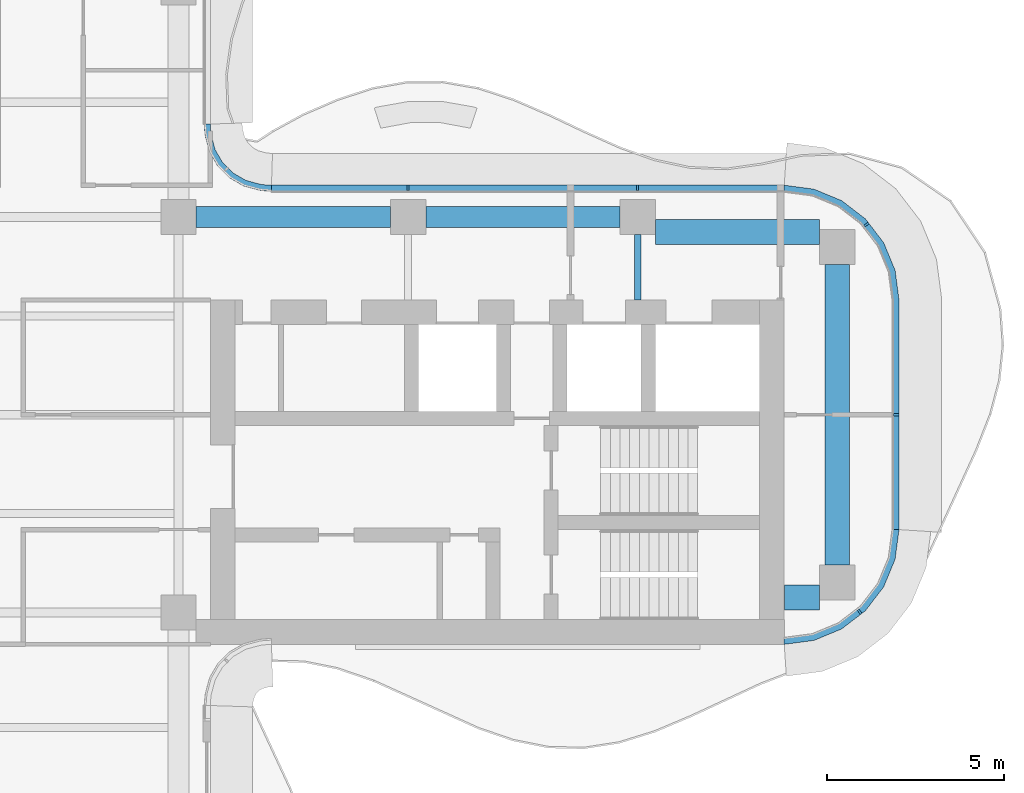
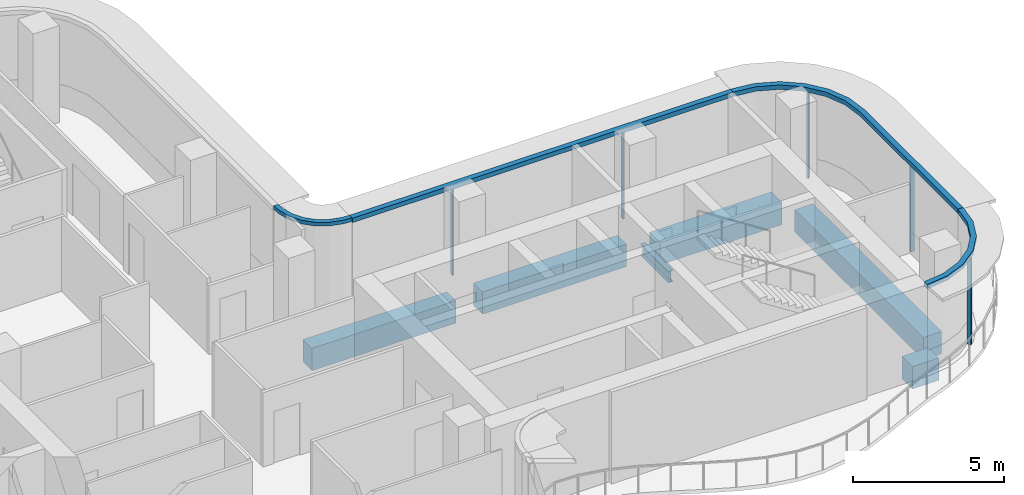
# One storey, part 6 of 17: 9 members, 6 beams, 4 elements without a shape of their own.
"""IFC4 building model written with IfcOpenShell, lengths in metres."""

from ifc_helpers import new_model, si_unit, direction, frame, origin, origin_2d, place, context, subcontext, project, spatial, polyline, rectangle, i_section, outline, extrude, source, transform, mapped, material, layer, layer_set, material_profile, profile_set, type_object, element, aggregate, save


model = new_model("IFC4")

# Units and contexts
model_context = context("Model", 3, precision=1e-05, world=origin(), true_north=direction((0.0, 1.0)))
body_context = subcontext(model_context, "Body", "Model", "MODEL_VIEW")
ifc_project = project(units=[si_unit("LENGTHUNIT", "METRE"), si_unit("AREAUNIT", "SQUARE_METRE"), si_unit("VOLUMEUNIT", "CUBIC_METRE"), si_unit("PLANEANGLEUNIT", "RADIAN"), si_unit("MASSUNIT", "GRAM", prefix="KILO")], contexts=[model_context])

# Site, building, storey
site_placement = place(None, origin())
site = spatial("IfcSite", under=ifc_project, at=site_placement, CompositionType="ELEMENT")
building_placement = place(site_placement, origin())
building = spatial("IfcBuilding", under=site, at=building_placement, Name="Trellis Farm Tower", CompositionType="ELEMENT")
storey_placement = place(building_placement, frame((0.0, 0.0, 283.300048828125)))
storey = spatial("IfcBuildingStorey", under=building, at=storey_placement, Name="L63", CompositionType="ELEMENT", Elevation=283.300048828125)

# Beams
ifc_material_1 = material(Name="Steel S355", Category="steel")
ifc_material_profile_1 = material_profile(ifc_material_1, i_section(OverallWidth=0.1904296875, OverallDepth=0.45703125, WebThickness=0.009033203125, FlangeThickness=0.014404296875, FilletRadius=0.01025390625, at=origin_2d()), Name="UB 457x191x74")
ifc_profile_set_1 = profile_set([ifc_material_profile_1], Name="Steel S355")
beam_type_1 = type_object("IfcBeamType", Name="UB 457x191x74", PredefinedType="BEAM", material=ifc_profile_set_1)
shared_shape_1 = source(origin(), body_context, "Body", "SweptSolid", [
    extrude(i_section(OverallWidth=0.1904296875, OverallDepth=0.45703125, WebThickness=0.009033203125, FlangeThickness=0.014404296875, FilletRadius=0.01025390625, at=origin_2d()), origin(), (0.0, 0.0, 1.0), 1.85009765625),
])
beam_1_placement = place(storey_placement, frame((18.60009765625, 3.25, -0.428466796875), z_axis=(0.0, 1.0, 0.0), x_axis=(-1.0, 0.0, 0.0)))
element("IfcBeam", 1, at=beam_1_placement, inside=storey, type_object=beam_type_1, Name="Girder", PredefinedType="BEAM", context=body_context, shape_type="MappedRepresentation", body=[
    mapped(shared_shape_1, transform((0.0, 0.0, 0.0))),
])
ifc_material_2 = material(Name="Concrete C60/75", Category="concrete")
ifc_material_profile_2 = material_profile(ifc_material_2, rectangle(XDim=0.60009765625, YDim=0.89990234375, at=origin_2d()), Name="RC spandrel beam 600x900 C60/75")
ifc_profile_set_2 = profile_set([ifc_material_profile_2], Name="Concrete C60/75")
beam_type_2 = type_object("IfcBeamType", Name="RC spandrel beam 600x900 C60/75", PredefinedType="SPANDREL", material=ifc_profile_set_2)
shared_shape_2 = source(origin(), body_context, "Body", "SweptSolid", [
    extrude(rectangle(XDim=0.60009765625, YDim=0.89990234375, at=origin_2d()), origin(), (0.0, 0.0, 1.0), 5.5),
])
for number, where, z_axis, x_axis, name in (
    (2, (6.10009765625, 5.60009765625, -0.650146484375), (1.0, 0.0, 0.0), (0.0, 1.0, 0.0), "Girder"),
    (3, (12.60009765625, 5.60009765625, -0.650146484375), (1.0, 0.0, 0.0), (0.0, 1.0, 0.0), "Girder"),
):
    element("IfcBeam", number, at=place(storey_placement, frame(where, z_axis=z_axis, x_axis=x_axis)), inside=storey, type_object=beam_type_2, Name=name, PredefinedType="SPANDREL", context=body_context, shape_type="MappedRepresentation", body=[
        mapped(shared_shape_2, transform((0.0, 0.0, 0.0))),
    ])
ifc_material_profile_3 = material_profile(ifc_material_2, rectangle(XDim=0.699951171875, YDim=0.89990234375, at=origin_2d()), Name="RC spandrel beam 700x900 C60/75")
ifc_profile_set_3 = profile_set([ifc_material_profile_3], Name="Concrete C60/75")
beam_type_3 = type_object("IfcBeamType", Name="RC spandrel beam 700x900 C60/75", PredefinedType="SPANDREL", material=ifc_profile_set_3)
shared_shape_3 = source(origin(), body_context, "Body", "SweptSolid", [
    extrude(rectangle(XDim=0.699951171875, YDim=0.89990234375, at=origin_2d()), origin(), (0.0, 0.0, 1.0), 1.0),
])
beam_2_placement = place(storey_placement, frame((22.75, -5.175048828125, -0.650146484375), z_axis=(1.0, 0.0, 0.0), x_axis=(0.0, 1.0, 0.0)))
element("IfcBeam", 4, at=beam_2_placement, inside=storey, type_object=beam_type_3, Name="Girder", PredefinedType="SPANDREL", context=body_context, shape_type="MappedRepresentation", body=[
    mapped(shared_shape_3, transform((0.0, 0.0, 0.0))),
])
shared_shape_4 = source(origin(), body_context, "Body", "SweptSolid", [
    extrude(rectangle(XDim=0.699951171875, YDim=0.89990234375, at=origin_2d()), origin(), (0.0, 0.0, 1.0), 4.64990234375),
])
beam_3_placement = place(storey_placement, frame((19.10009765625, 5.175048828125, -0.650146484375), z_axis=(1.0, 0.0, 0.0), x_axis=(0.0, 1.0, 0.0)))
element("IfcBeam", 5, at=beam_3_placement, inside=storey, type_object=beam_type_3, Name="Girder", PredefinedType="SPANDREL", context=body_context, shape_type="MappedRepresentation", body=[
    mapped(shared_shape_4, transform((0.0, 0.0, 0.0))),
])
shared_shape_5 = source(origin(), body_context, "Body", "SweptSolid", [
    extrude(rectangle(XDim=0.699951171875, YDim=0.89990234375, at=origin_2d()), origin(), (0.0, 0.0, 1.0), 8.5),
])
beam_4_placement = place(storey_placement, frame((24.25, -4.25, -0.650146484375), z_axis=(0.0, 1.0, 0.0), x_axis=(-1.0, 0.0, 0.0)))
element("IfcBeam", 6, at=beam_4_placement, inside=storey, type_object=beam_type_3, Name="Girder", PredefinedType="SPANDREL", context=body_context, shape_type="MappedRepresentation", body=[
    mapped(shared_shape_5, transform((0.0, 0.0, 0.0))),
])

# Curtain wall, member
ifc_material_3 = material(Name="Aluminium and glass curtain wall", Category="aluminium")
ifc_layer_1 = layer(ifc_material_3, 0.166015625)
ifc_layer_set_1 = layer_set([ifc_layer_1], Name="WINTER GARDEN CURTAIN WALL CW3")
curtain_wall_type_1 = type_object("IfcCurtainWallType", Name="WINTER GARDEN CURTAIN WALL CW3", PredefinedType="NOTDEFINED", material=ifc_layer_set_1)
placement_1 = place(storey_placement, origin())
curtain_wall_1 = element("IfcCurtainWall", 7, at=placement_1, inside=storey, type_object=curtain_wall_type_1, Name="CW3 003", PredefinedType="NOTDEFINED")
ifc_material_4 = material(Name="Aluminium extrusion 6063-T6", Category="aluminium")
ifc_layer_2 = layer(ifc_material_4, 0.169921875)
ifc_layer_set_2 = layer_set([ifc_layer_2], Name="Aluminium extrusion 6063-T6")
member_type_1 = type_object("IfcMemberType", Name="CW3 TRANSOM 170x150", PredefinedType="USERDEFINED", material=ifc_layer_set_2)
shared_shape_6 = source(origin(), body_context, "Body", "SweptSolid", [
    extrude(outline(polyline([(8.2314453125, 6.5), (8.01953125, 6.513916015625), (7.91552734375, 6.527587890625), (7.508544921875, 6.63671875), (7.144287109375, 6.846923828125), (6.846923828125, 7.144287109375), (6.63671875, 7.508544921875), (6.527587890625, 7.91552734375), (6.513916015625, 8.01953125), (6.5, 8.2314453125), (6.330078125, 8.225830078125), (6.3447265625, 8.0029296875), (6.360595703125, 7.88232421875), (6.478271484375, 7.44287109375), (6.7109375, 7.0400390625), (7.0400390625, 6.7109375), (7.44287109375, 6.478271484375), (7.88232421875, 6.360595703125), (8.0029296875, 6.3447265625), (8.225830078125, 6.330078125), (8.2314453125, 6.5)])), origin(), (0.0, 0.0, 1.0), 0.14990234375),
])
member_1_placement = place(storey_placement, frame((0.0, 0.0, 3.550048828125)))
member_1 = element("IfcMember", 8, at=member_1_placement, type_object=member_type_1, Name="TR3 003", ObjectType="TRANSOM", PredefinedType="USERDEFINED", context=body_context, shape_type="MappedRepresentation", body=[
    mapped(shared_shape_6, transform((0.0, 0.0, 0.0))),
])
aggregate(curtain_wall_1, [member_1])

ifc_layer_3 = layer(ifc_material_3, 0.18994140625)
ifc_layer_set_3 = layer_set([ifc_layer_3], Name="RIBBON CURTAIN WALL CW1")
curtain_wall_type_2 = type_object("IfcCurtainWallType", Name="RIBBON CURTAIN WALL CW1", PredefinedType="NOTDEFINED", material=ifc_layer_set_3)
curtain_wall_2 = element("IfcCurtainWall", 9, at=placement_1, inside=storey, type_object=curtain_wall_type_2, Name="CW1 006", PredefinedType="NOTDEFINED")
ifc_material_profile_4 = material_profile(ifc_material_4, rectangle(XDim=0.06005859375, YDim=0.14990234375, at=origin_2d()), Name="MULLION 60x150")
ifc_profile_set_4 = profile_set([ifc_material_profile_4], Name="Aluminium extrusion 6063-T6")
member_type_2 = type_object("IfcMemberType", Name="CW1 MULLION 60x150", PredefinedType="MULLION", material=ifc_profile_set_4)
shared_shape_7 = source(origin(), body_context, "Body", "SweptSolid", [
    extrude(rectangle(XDim=0.06005859375, YDim=0.14990234375, at=origin_2d()), origin(), (0.0, 0.0, 1.0), 3.52001953125),
])
member_2_placement = place(storey_placement, frame((24.885498046875, -5.578369140625, 0.0), z_axis=(0.0, 0.0, 1.0), x_axis=(0.793353340291, 0.608761429009, 0.0)))
member_2 = element("IfcMember", 10, at=member_2_placement, type_object=member_type_2, Name="MU1 006-01", PredefinedType="MULLION", context=body_context, shape_type="MappedRepresentation", body=[
    mapped(shared_shape_7, transform((0.0, 0.0, 0.0))),
])

# Curtain wall, members
curtain_wall_3 = element("IfcCurtainWall", 11, at=placement_1, inside=storey, type_object=curtain_wall_type_2, Name="CW1 007", PredefinedType="NOTDEFINED")
member_3_placement = place(storey_placement, frame((25.925048828125, 0.0, 0.0), z_axis=(0.0, 0.0, 1.0), x_axis=(0.0, 1.0, 0.0)))
member_3 = element("IfcMember", 12, at=member_3_placement, type_object=member_type_2, Name="MU1 007-01", PredefinedType="MULLION", context=body_context, shape_type="MappedRepresentation", body=[
    mapped(shared_shape_7, transform((0.0, 0.0, 0.0))),
])
member_4_placement = place(storey_placement, frame((25.078369140625, 5.385498046875, 0.0), z_axis=(0.0, 0.0, 1.0), x_axis=(-0.608761429009, 0.793353340291, 0.0)))
member_4 = element("IfcMember", 13, at=member_4_placement, type_object=member_type_2, Name="MU1 007-02", PredefinedType="MULLION", context=body_context, shape_type="MappedRepresentation", body=[
    mapped(shared_shape_7, transform((0.0, 0.0, 0.0))),
])

curtain_wall_4 = element("IfcCurtainWall", 14, at=placement_1, inside=storey, type_object=curtain_wall_type_2, Name="CW1 008", PredefinedType="NOTDEFINED")
member_5_placement = place(storey_placement, frame((18.60009765625, 6.425048828125, 0.0), z_axis=(0.0, 0.0, 1.0), x_axis=(-1.0, 0.0, 0.0)))
member_5 = element("IfcMember", 15, at=member_5_placement, type_object=member_type_2, Name="MU1 008-01", PredefinedType="MULLION", context=body_context, shape_type="MappedRepresentation", body=[
    mapped(shared_shape_7, transform((0.0, 0.0, 0.0))),
])
member_6_placement = place(storey_placement, frame((12.10009765625, 6.425048828125, 0.0), z_axis=(0.0, 0.0, 1.0), x_axis=(-1.0, 0.0, 0.0)))
member_6 = element("IfcMember", 16, at=member_6_placement, type_object=member_type_2, Name="MU1 008-02", PredefinedType="MULLION", context=body_context, shape_type="MappedRepresentation", body=[
    mapped(shared_shape_7, transform((0.0, 0.0, 0.0))),
])

# Member
ifc_layer_4 = layer(ifc_material_4, 0.199951171875)
ifc_layer_set_4 = layer_set([ifc_layer_4], Name="Aluminium extrusion 6063-T6")
member_type_3 = type_object("IfcMemberType", Name="CW1 TRANSOM 200x180", PredefinedType="USERDEFINED", material=ifc_layer_set_4)
shared_shape_8 = source(origin(), body_context, "Body", "SweptSolid", [
    extrude(outline(polyline([(22.75, -6.5), (23.591064453125, -6.38916015625), (24.375, -6.064697265625), (25.048095703125, -5.548095703125), (25.564697265625, -4.875), (25.88916015625, -4.091064453125), (26.0, -3.25), (25.800048828125, -3.23681640625), (25.6943359375, -4.0390625), (25.389892578125, -4.774169921875), (24.905517578125, -5.405517578125), (24.274169921875, -5.889892578125), (23.5390625, -6.1943359375), (22.73681640625, -6.300048828125), (22.75, -6.5)])), origin(), (0.0, 0.0, 1.0), 0.179931640625),
])
placement_2 = place(storey_placement, frame((0.0, 0.0, 3.52001953125)))
member_7 = element("IfcMember", 17, at=placement_2, type_object=member_type_3, Name="TR1 006", ObjectType="TRANSOM", PredefinedType="USERDEFINED", context=body_context, shape_type="MappedRepresentation", body=[
    mapped(shared_shape_8, transform((0.0, 0.0, 0.0))),
])

aggregate(curtain_wall_2, [member_2, member_7])

shared_shape_9 = source(origin(), body_context, "Body", "SweptSolid", [
    extrude(outline(polyline([(22.75, 6.5), (8.2314453125, 6.5), (8.224853515625, 6.300048828125), (22.73681640625, 6.300048828125), (22.75, 6.5)])), origin(), (0.0, 0.0, 1.0), 0.179931640625),
])
member_8 = element("IfcMember", 18, at=placement_2, type_object=member_type_3, Name="TR1 008", ObjectType="TRANSOM", PredefinedType="USERDEFINED", context=body_context, shape_type="MappedRepresentation", body=[
    mapped(shared_shape_9, transform((0.0, 0.0, 0.0))),
])

aggregate(curtain_wall_4, [member_5, member_6, member_8])

shared_shape_10 = source(origin(), body_context, "Body", "SweptSolid", [
    extrude(outline(polyline([(26.0, -3.25), (26.0, 3.25), (25.88916015625, 4.091064453125), (25.564697265625, 4.875), (25.048095703125, 5.548095703125), (24.375, 6.064697265625), (23.591064453125, 6.38916015625), (22.75, 6.5), (22.73681640625, 6.300048828125), (23.5390625, 6.1943359375), (24.274169921875, 5.889892578125), (24.905517578125, 5.405517578125), (25.389892578125, 4.774169921875), (25.6943359375, 4.0390625), (25.800048828125, 3.23681640625), (25.800048828125, -3.23681640625), (26.0, -3.25)])), origin(), (0.0, 0.0, 1.0), 0.179931640625),
])
member_9 = element("IfcMember", 19, at=placement_2, type_object=member_type_3, Name="TR1 007", ObjectType="TRANSOM", PredefinedType="USERDEFINED", context=body_context, shape_type="MappedRepresentation", body=[
    mapped(shared_shape_10, transform((0.0, 0.0, 0.0))),
])

aggregate(curtain_wall_3, [member_3, member_4, member_9])

save(model, "model.ifc")
